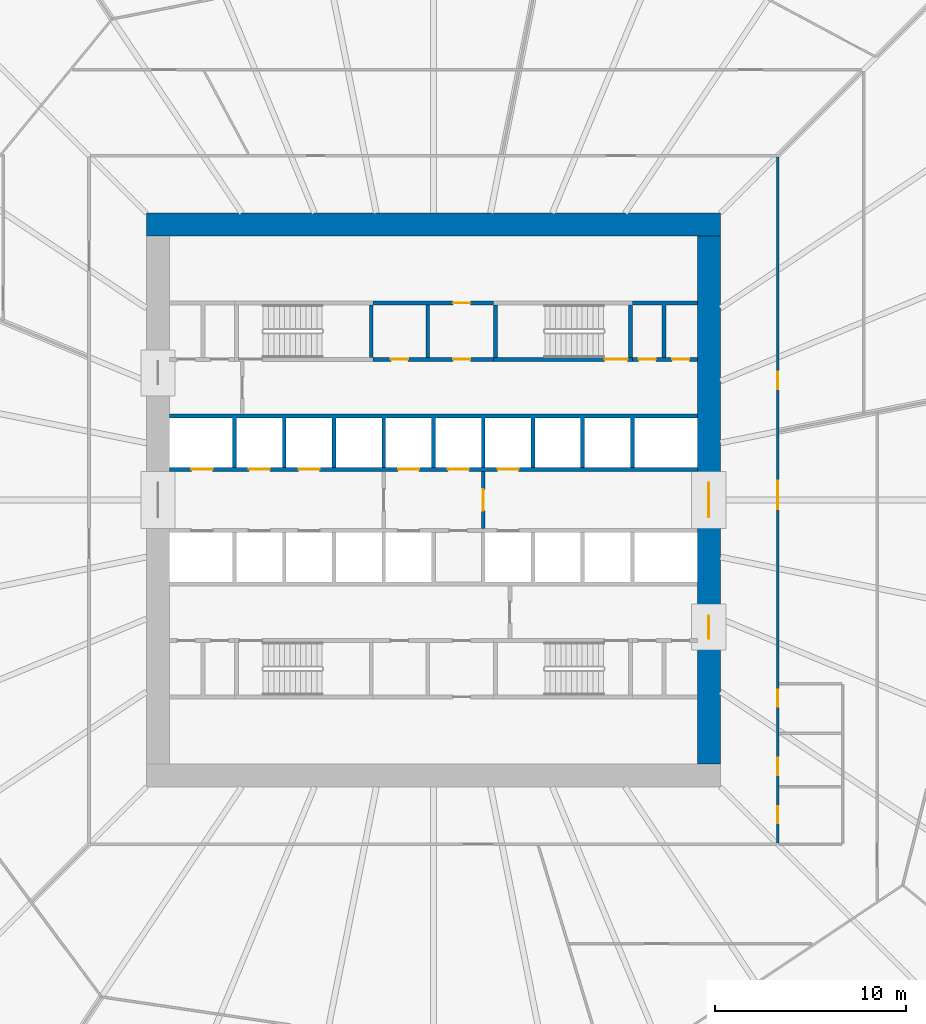
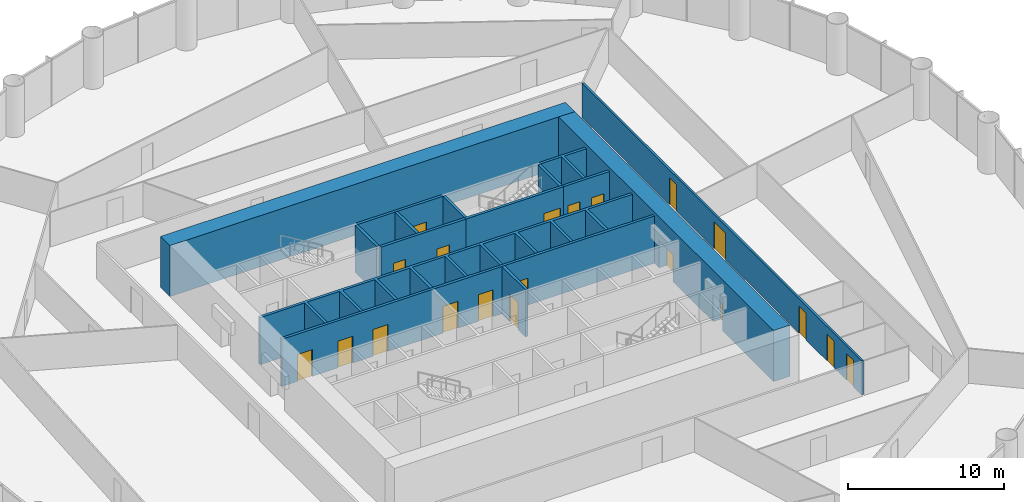
# One storey, part 12 of 15: 20 doors, 15 walls, 20 openings.
"""IFC4 building model written with IfcOpenShell, lengths in metres."""

from ifc_helpers import new_model, si_unit, direction, frame, frame_2d, origin, place, context, subcontext, project, spatial, polyline, rectangle, outline, extrude, material, layer, layer_set, type_object, element, fill, save


model = new_model("IFC4")

# Units and contexts
model_context = context("Model", 3, precision=1e-05, world=origin(), true_north=direction((0.0, 1.0)))
body_context = subcontext(model_context, "Body", "Model", "MODEL_VIEW")
ifc_project = project(units=[si_unit("LENGTHUNIT", "METRE"), si_unit("AREAUNIT", "SQUARE_METRE"), si_unit("VOLUMEUNIT", "CUBIC_METRE"), si_unit("PLANEANGLEUNIT", "RADIAN"), si_unit("MASSUNIT", "GRAM", prefix="KILO")], contexts=[model_context])

# Site, building, storey
site_placement = place(None, origin())
site = spatial("IfcSite", under=ifc_project, at=site_placement, CompositionType="ELEMENT")
building_placement = place(site_placement, origin())
building = spatial("IfcBuilding", under=site, at=building_placement, Name="Corvane Civic Tower", CompositionType="ELEMENT")
storey_placement = place(building_placement, frame((0.0, 0.0, 73.0)))
storey = spatial("IfcBuildingStorey", under=building, at=storey_placement, Name="L16", CompositionType="ELEMENT", Elevation=73.0)

# Wall
ifc_material_1 = material(Name="Concrete C80/95", Category="concrete")
ifc_layer_1 = layer(ifc_material_1, 1.199951171875)
ifc_layer_set_1 = layer_set([ifc_layer_1], Name="Concrete C80/95")
wall_type_1 = type_object("IfcWallType", Name="CORE WALL 1200 C80/95", PredefinedType="SHEAR", material=ifc_layer_set_1)
wall_1_placement = place(storey_placement, frame((-15.0, 14.39990234375, 0.0), z_axis=(0.0, 0.0, 1.0), x_axis=(1.0, 0.0, 0.0)))
element("IfcWall", 1, at=wall_1_placement, inside=storey, type_object=wall_type_1, Name="W-L16-core-N", PredefinedType="SHEAR", context=body_context, shape_type="SweptSolid", body=[
    extrude(rectangle(XDim=30.0, YDim=1.199951171875, at=frame_2d((15.0, 0.0))), origin(), (0.0, 0.0, 1.0), 4.0),
])

# Wall, openings, doors
wall_2_placement = place(storey_placement, frame((14.39990234375, -13.800048828125, 0.0), z_axis=(0.0, 0.0, 1.0), x_axis=(0.0, 1.0, 0.0)))
wall_2 = element("IfcWall", 2, at=wall_2_placement, inside=storey, type_object=wall_type_1, Name="W-L16-core-E", PredefinedType="SHEAR", context=body_context, shape_type="SweptSolid", body=[
    extrude(rectangle(XDim=27.60009765625, YDim=1.199951171875, at=frame_2d((13.800048828125, 0.0))), origin(), (0.0, 0.0, 1.0), 4.0),
])
opening_1_placement = place(wall_2_placement, frame((12.89990234375, 0.0, 0.0)))
opening_1 = element("IfcOpeningElement", 3, at=opening_1_placement, cuts=wall_2, Name="Opening L16.C25", PredefinedType="OPENING", context=body_context, shape_type="SweptSolid", body=[
    extrude(rectangle(XDim=1.800048828125, YDim=2.10009765625, at=frame_2d((0.89990234375, 1.050048828125))), frame((0.0, 0.60986328125, 0.0), z_axis=(0.0, -1.0, 0.0), x_axis=(1.0, 0.0, 0.0)), (0.0, 0.0, 1.0), 1.219970703125),
])
opening_2_placement = place(wall_2_placement, frame((6.550048828125, 0.0, 0.0)))
opening_2 = element("IfcOpeningElement", 4, at=opening_2_placement, cuts=wall_2, Name="Opening L16.C27", PredefinedType="OPENING", context=body_context, shape_type="SweptSolid", body=[
    extrude(rectangle(XDim=1.199951171875, YDim=2.10009765625, at=frame_2d((0.60009765625, 1.050048828125))), frame((0.0, 0.60986328125, 0.0), z_axis=(0.0, -1.0, 0.0), x_axis=(1.0, 0.0, 0.0)), (0.0, 0.0, 1.0), 1.219970703125),
])
ifc_material_2 = material(Name="Steel fire door leaf", Category="steel")
door_type_1 = type_object("IfcDoorType", Name="CR-DOOR-CORE-1800", OperationType="DOUBLE_DOOR_SINGLE_SWING", PredefinedType="DOOR", material=ifc_material_2)
door_1_placement = place(opening_1_placement, origin())
door_1 = element("IfcDoor", 5, at=door_1_placement, inside=storey, type_object=door_type_1, Name="L16 door", OperationType="DOUBLE_DOOR_SINGLE_SWING", OverallHeight=2.10009765625, OverallWidth=1.800048828125, PredefinedType="DOOR", context=body_context, shape_type="SweptSolid", body=[
    extrude(rectangle(XDim=1.800048828125, YDim=2.10009765625, at=frame_2d((0.89990234375, 1.050048828125))), frame((0.0, 0.02490234375, 0.0), z_axis=(0.0, -1.0, 0.0), x_axis=(1.0, 0.0, 0.0)), (0.0, 0.0, 1.0), 0.050048828125),
])
fill(opening_1, door_1)
door_2_placement = place(opening_2_placement, origin())
door_2 = element("IfcDoor", 6, at=door_2_placement, inside=storey, type_object=door_type_1, Name="L16 door", OperationType="DOUBLE_DOOR_SINGLE_SWING", OverallHeight=2.10009765625, OverallWidth=1.199951171875, PredefinedType="DOOR", context=body_context, shape_type="SweptSolid", body=[
    extrude(rectangle(XDim=1.199951171875, YDim=2.10009765625, at=frame_2d((0.60009765625, 1.050048828125))), frame((0.0, 0.02490234375, 0.0), z_axis=(0.0, -1.0, 0.0), x_axis=(1.0, 0.0, 0.0)), (0.0, 0.0, 1.0), 0.050048828125),
])
fill(opening_2, door_2)

ifc_material_3 = material(Name="Concrete C30/37", Category="concrete")
ifc_layer_2 = layer(ifc_material_3, 0.199951171875)
ifc_layer_set_2 = layer_set([ifc_layer_2], Name="Concrete C30/37")
wall_type_2 = type_object("IfcWallType", Name="CR-WALL-200", PredefinedType="PARTITIONING", material=ifc_layer_set_2)
wall_3_placement = place(storey_placement, frame((-13.800048828125, 1.60009765625, 0.0), z_axis=(0.0, 0.0, 1.0), x_axis=(1.0, 0.0, 0.0)))
wall_3 = element("IfcWall", 7, at=wall_3_placement, inside=storey, type_object=wall_type_2, Name="L16 lift shaft wall", PredefinedType="PARTITIONING", context=body_context, shape_type="SweptSolid", body=[
    extrude(rectangle(XDim=27.60009765625, YDim=0.199951171875, at=frame_2d((13.800048828125, 0.0))), origin(), (0.0, 0.0, 1.0), 3.699951171875),
])
opening_3_placement = place(wall_3_placement, frame((1.14990234375, 0.0, 0.0)))
opening_3 = element("IfcOpeningElement", 8, at=opening_3_placement, cuts=wall_3, Name="Opening LD", PredefinedType="OPENING", context=body_context, shape_type="SweptSolid", body=[
    extrude(rectangle(XDim=1.10009765625, YDim=2.10009765625, at=frame_2d((0.550048828125, 1.050048828125))), frame((0.0, 0.10986328125, 0.0), z_axis=(0.0, -1.0, 0.0), x_axis=(1.0, 0.0, 0.0)), (0.0, 0.0, 1.0), 0.219970703125),
])
opening_4_placement = place(wall_3_placement, frame((4.14990234375, 0.0, 0.0)))
opening_4 = element("IfcOpeningElement", 9, at=opening_4_placement, cuts=wall_3, Name="Opening LD", PredefinedType="OPENING", context=body_context, shape_type="SweptSolid", body=[
    extrude(rectangle(XDim=1.10009765625, YDim=2.10009765625, at=frame_2d((0.550048828125, 1.050048828125))), frame((0.0, 0.10986328125, 0.0), z_axis=(0.0, -1.0, 0.0), x_axis=(1.0, 0.0, 0.0)), (0.0, 0.0, 1.0), 0.219970703125),
])
opening_5_placement = place(wall_3_placement, frame((6.75, 0.0, 0.0)))
opening_5 = element("IfcOpeningElement", 10, at=opening_5_placement, cuts=wall_3, Name="Opening LD", PredefinedType="OPENING", context=body_context, shape_type="SweptSolid", body=[
    extrude(rectangle(XDim=1.10009765625, YDim=2.10009765625, at=frame_2d((0.550048828125, 1.050048828125))), frame((0.0, 0.10986328125, 0.0), z_axis=(0.0, -1.0, 0.0), x_axis=(1.0, 0.0, 0.0)), (0.0, 0.0, 1.0), 0.219970703125),
])
opening_6_placement = place(wall_3_placement, frame((11.949951171875, 0.0, 0.0)))
opening_6 = element("IfcOpeningElement", 11, at=opening_6_placement, cuts=wall_3, Name="Opening LD", PredefinedType="OPENING", context=body_context, shape_type="SweptSolid", body=[
    extrude(rectangle(XDim=1.10009765625, YDim=2.10009765625, at=frame_2d((0.550048828125, 1.050048828125))), frame((0.0, 0.10986328125, 0.0), z_axis=(0.0, -1.0, 0.0), x_axis=(1.0, 0.0, 0.0)), (0.0, 0.0, 1.0), 0.219970703125),
])
opening_7_placement = place(wall_3_placement, frame((14.550048828125, 0.0, 0.0)))
opening_7 = element("IfcOpeningElement", 12, at=opening_7_placement, cuts=wall_3, Name="Opening LD", PredefinedType="OPENING", context=body_context, shape_type="SweptSolid", body=[
    extrude(rectangle(XDim=1.10009765625, YDim=2.10009765625, at=frame_2d((0.550048828125, 1.050048828125))), frame((0.0, 0.10986328125, 0.0), z_axis=(0.0, -1.0, 0.0), x_axis=(1.0, 0.0, 0.0)), (0.0, 0.0, 1.0), 0.219970703125),
])
opening_8_placement = place(wall_3_placement, frame((17.14990234375, 0.0, 0.0)))
opening_8 = element("IfcOpeningElement", 13, at=opening_8_placement, cuts=wall_3, Name="Opening LD", PredefinedType="OPENING", context=body_context, shape_type="SweptSolid", body=[
    extrude(rectangle(XDim=1.10009765625, YDim=2.10009765625, at=frame_2d((0.550048828125, 1.050048828125))), frame((0.0, 0.10986328125, 0.0), z_axis=(0.0, -1.0, 0.0), x_axis=(1.0, 0.0, 0.0)), (0.0, 0.0, 1.0), 0.219970703125),
])
ifc_material_4 = material(Name="Stainless steel 316 door leaves", Category="steel")
door_type_2 = type_object("IfcDoorType", Name="LD", OperationType="DOUBLE_DOOR_SLIDING", PredefinedType="DOOR", material=ifc_material_4)
door_3_placement = place(opening_3_placement, origin())
door_3 = element("IfcDoor", 14, at=door_3_placement, inside=storey, type_object=door_type_2, Name="L16 landing door", OperationType="DOUBLE_DOOR_SLIDING", OverallHeight=2.10009765625, OverallWidth=1.10009765625, PredefinedType="DOOR", context=body_context, shape_type="SweptSolid", body=[
    extrude(rectangle(XDim=1.10009765625, YDim=2.10009765625, at=frame_2d((0.550048828125, 1.050048828125))), frame((0.0, 0.02490234375, 0.0), z_axis=(0.0, -1.0, 0.0), x_axis=(1.0, 0.0, 0.0)), (0.0, 0.0, 1.0), 0.050048828125),
])
fill(opening_3, door_3)
door_4_placement = place(opening_4_placement, origin())
door_4 = element("IfcDoor", 15, at=door_4_placement, inside=storey, type_object=door_type_2, Name="L16 landing door", OperationType="DOUBLE_DOOR_SLIDING", OverallHeight=2.10009765625, OverallWidth=1.10009765625, PredefinedType="DOOR", context=body_context, shape_type="SweptSolid", body=[
    extrude(rectangle(XDim=1.10009765625, YDim=2.10009765625, at=frame_2d((0.550048828125, 1.050048828125))), frame((0.0, 0.02490234375, 0.0), z_axis=(0.0, -1.0, 0.0), x_axis=(1.0, 0.0, 0.0)), (0.0, 0.0, 1.0), 0.050048828125),
])
fill(opening_4, door_4)
door_5_placement = place(opening_5_placement, origin())
door_5 = element("IfcDoor", 16, at=door_5_placement, inside=storey, type_object=door_type_2, Name="L16 landing door", OperationType="DOUBLE_DOOR_SLIDING", OverallHeight=2.10009765625, OverallWidth=1.10009765625, PredefinedType="DOOR", context=body_context, shape_type="SweptSolid", body=[
    extrude(rectangle(XDim=1.10009765625, YDim=2.10009765625, at=frame_2d((0.550048828125, 1.050048828125))), frame((0.0, 0.02490234375, 0.0), z_axis=(0.0, -1.0, 0.0), x_axis=(1.0, 0.0, 0.0)), (0.0, 0.0, 1.0), 0.050048828125),
])
fill(opening_5, door_5)
door_6_placement = place(opening_6_placement, origin())
door_6 = element("IfcDoor", 17, at=door_6_placement, inside=storey, type_object=door_type_2, Name="L16 landing door", OperationType="DOUBLE_DOOR_SLIDING", OverallHeight=2.10009765625, OverallWidth=1.10009765625, PredefinedType="DOOR", context=body_context, shape_type="SweptSolid", body=[
    extrude(rectangle(XDim=1.10009765625, YDim=2.10009765625, at=frame_2d((0.550048828125, 1.050048828125))), frame((0.0, 0.02490234375, 0.0), z_axis=(0.0, -1.0, 0.0), x_axis=(1.0, 0.0, 0.0)), (0.0, 0.0, 1.0), 0.050048828125),
])
fill(opening_6, door_6)
door_7_placement = place(opening_7_placement, origin())
door_7 = element("IfcDoor", 18, at=door_7_placement, inside=storey, type_object=door_type_2, Name="L16 landing door", OperationType="DOUBLE_DOOR_SLIDING", OverallHeight=2.10009765625, OverallWidth=1.10009765625, PredefinedType="DOOR", context=body_context, shape_type="SweptSolid", body=[
    extrude(rectangle(XDim=1.10009765625, YDim=2.10009765625, at=frame_2d((0.550048828125, 1.050048828125))), frame((0.0, 0.02490234375, 0.0), z_axis=(0.0, -1.0, 0.0), x_axis=(1.0, 0.0, 0.0)), (0.0, 0.0, 1.0), 0.050048828125),
])
fill(opening_7, door_7)
door_8_placement = place(opening_8_placement, origin())
door_8 = element("IfcDoor", 19, at=door_8_placement, inside=storey, type_object=door_type_2, Name="L16 landing door", OperationType="DOUBLE_DOOR_SLIDING", OverallHeight=2.10009765625, OverallWidth=1.10009765625, PredefinedType="DOOR", context=body_context, shape_type="SweptSolid", body=[
    extrude(rectangle(XDim=1.10009765625, YDim=2.10009765625, at=frame_2d((0.550048828125, 1.050048828125))), frame((0.0, 0.02490234375, 0.0), z_axis=(0.0, -1.0, 0.0), x_axis=(1.0, 0.0, 0.0)), (0.0, 0.0, 1.0), 0.050048828125),
])
fill(opening_8, door_8)

wall_4_placement = place(storey_placement, frame((-3.14990234375, 7.35009765625, 0.0), z_axis=(0.0, 0.0, 1.0), x_axis=(1.0, 0.0, 0.0)))
wall_4 = element("IfcWall", 20, at=wall_4_placement, inside=storey, type_object=wall_type_2, Name="L16 core partition wall", PredefinedType="PARTITIONING", context=body_context, shape_type="SweptSolid", body=[
    extrude(rectangle(XDim=6.2998046875, YDim=0.199951171875, at=frame_2d((3.14990234375, 0.0))), origin(), (0.0, 0.0, 1.0), 3.699951171875),
])
opening_9_placement = place(wall_4_placement, frame((0.925048828125, 0.0, 0.0)))
opening_9 = element("IfcOpeningElement", 21, at=opening_9_placement, cuts=wall_4, Name="Opening L16.C02", PredefinedType="OPENING", context=body_context, shape_type="SweptSolid", body=[
    extrude(rectangle(XDim=0.89990234375, YDim=2.10009765625, at=frame_2d((0.449951171875, 1.050048828125))), frame((0.0, 0.10986328125, 0.0), z_axis=(0.0, -1.0, 0.0), x_axis=(1.0, 0.0, 0.0)), (0.0, 0.0, 1.0), 0.219970703125),
])
opening_10_placement = place(wall_4_placement, frame((4.175048828125, 0.0, 0.0)))
opening_10 = element("IfcOpeningElement", 22, at=opening_10_placement, cuts=wall_4, Name="Opening L16.C03", PredefinedType="OPENING", context=body_context, shape_type="SweptSolid", body=[
    extrude(rectangle(XDim=0.89990234375, YDim=2.10009765625, at=frame_2d((0.449951171875, 1.050048828125))), frame((0.0, 0.10986328125, 0.0), z_axis=(0.0, -1.0, 0.0), x_axis=(1.0, 0.0, 0.0)), (0.0, 0.0, 1.0), 0.219970703125),
])
ifc_material_5 = material(Name="Steel fire door leaf", Category="steel")
door_type_3 = type_object("IfcDoorType", Name="CR-DOOR-900", OperationType="SINGLE_SWING_LEFT", PredefinedType="DOOR", material=ifc_material_5)
door_9_placement = place(opening_9_placement, origin())
door_9 = element("IfcDoor", 23, at=door_9_placement, inside=storey, type_object=door_type_3, Name="L16 door", OperationType="SINGLE_SWING_LEFT", OverallHeight=2.10009765625, OverallWidth=0.89990234375, PredefinedType="DOOR", context=body_context, shape_type="SweptSolid", body=[
    extrude(rectangle(XDim=0.89990234375, YDim=2.10009765625, at=frame_2d((0.449951171875, 1.050048828125))), frame((0.0, 0.02490234375, 0.0), z_axis=(0.0, -1.0, 0.0), x_axis=(1.0, 0.0, 0.0)), (0.0, 0.0, 1.0), 0.050048828125),
])
fill(opening_9, door_9)
door_10_placement = place(opening_10_placement, origin())
door_10 = element("IfcDoor", 24, at=door_10_placement, inside=storey, type_object=door_type_3, Name="L16 door", OperationType="SINGLE_SWING_LEFT", OverallHeight=2.10009765625, OverallWidth=0.89990234375, PredefinedType="DOOR", context=body_context, shape_type="SweptSolid", body=[
    extrude(rectangle(XDim=0.89990234375, YDim=2.10009765625, at=frame_2d((0.449951171875, 1.050048828125))), frame((0.0, 0.02490234375, 0.0), z_axis=(0.0, -1.0, 0.0), x_axis=(1.0, 0.0, 0.0)), (0.0, 0.0, 1.0), 0.050048828125),
])
fill(opening_10, door_10)

wall_5_placement = place(storey_placement, frame((10.39990234375, 7.35009765625, 0.0), z_axis=(0.0, 0.0, 1.0), x_axis=(1.0, 0.0, 0.0)))
wall_5 = element("IfcWall", 25, at=wall_5_placement, inside=storey, type_object=wall_type_2, Name="L16 core partition wall", PredefinedType="PARTITIONING", context=body_context, shape_type="SweptSolid", body=[
    extrude(rectangle(XDim=3.400146484375, YDim=0.199951171875, at=frame_2d((1.7001953125, 0.0))), origin(), (0.0, 0.0, 1.0), 3.699951171875),
])
opening_11_placement = place(wall_5_placement, frame((0.324951171875, 0.0, 0.0)))
opening_11 = element("IfcOpeningElement", 26, at=opening_11_placement, cuts=wall_5, Name="Opening L16.C12", PredefinedType="OPENING", context=body_context, shape_type="SweptSolid", body=[
    extrude(rectangle(XDim=0.89990234375, YDim=2.10009765625, at=frame_2d((0.449951171875, 1.050048828125))), frame((0.0, 0.10986328125, 0.0), z_axis=(0.0, -1.0, 0.0), x_axis=(1.0, 0.0, 0.0)), (0.0, 0.0, 1.0), 0.219970703125),
])
opening_12_placement = place(wall_5_placement, frame((2.074951171875, 0.0, 0.0)))
opening_12 = element("IfcOpeningElement", 27, at=opening_12_placement, cuts=wall_5, Name="Opening L16.C13", PredefinedType="OPENING", context=body_context, shape_type="SweptSolid", body=[
    extrude(rectangle(XDim=0.89990234375, YDim=2.10009765625, at=frame_2d((0.449951171875, 1.050048828125))), frame((0.0, 0.10986328125, 0.0), z_axis=(0.0, -1.0, 0.0), x_axis=(1.0, 0.0, 0.0)), (0.0, 0.0, 1.0), 0.219970703125),
])
door_11_placement = place(opening_11_placement, origin())
door_11 = element("IfcDoor", 28, at=door_11_placement, inside=storey, type_object=door_type_3, Name="L16 door", OperationType="SINGLE_SWING_LEFT", OverallHeight=2.10009765625, OverallWidth=0.89990234375, PredefinedType="DOOR", context=body_context, shape_type="SweptSolid", body=[
    extrude(rectangle(XDim=0.89990234375, YDim=2.10009765625, at=frame_2d((0.449951171875, 1.050048828125))), frame((0.0, 0.02490234375, 0.0), z_axis=(0.0, -1.0, 0.0), x_axis=(1.0, 0.0, 0.0)), (0.0, 0.0, 1.0), 0.050048828125),
])
fill(opening_11, door_11)
door_12_placement = place(opening_12_placement, origin())
door_12 = element("IfcDoor", 29, at=door_12_placement, inside=storey, type_object=door_type_3, Name="L16 door", OperationType="SINGLE_SWING_LEFT", OverallHeight=2.10009765625, OverallWidth=0.89990234375, PredefinedType="DOOR", context=body_context, shape_type="SweptSolid", body=[
    extrude(rectangle(XDim=0.89990234375, YDim=2.10009765625, at=frame_2d((0.449951171875, 1.050048828125))), frame((0.0, 0.02490234375, 0.0), z_axis=(0.0, -1.0, 0.0), x_axis=(1.0, 0.0, 0.0)), (0.0, 0.0, 1.0), 0.050048828125),
])
fill(opening_12, door_12)

# Wall, opening, door
wall_6_placement = place(storey_placement, frame((-3.14990234375, 10.300048828125, 0.0), z_axis=(0.0, 0.0, 1.0), x_axis=(1.0, 0.0, 0.0)))
wall_6 = element("IfcWall", 30, at=wall_6_placement, inside=storey, type_object=wall_type_2, Name="L16 partition wall", PredefinedType="PARTITIONING", context=body_context, shape_type="SweptSolid", body=[
    extrude(rectangle(XDim=6.2998046875, YDim=0.199951171875, at=frame_2d((3.14990234375, 0.0))), origin(), (0.0, 0.0, 1.0), 3.699951171875),
])
opening_13_placement = place(wall_6_placement, frame((4.175048828125, 0.0, 0.0)))
opening_13 = element("IfcOpeningElement", 31, at=opening_13_placement, cuts=wall_6, Name="Opening L16.C06", PredefinedType="OPENING", context=body_context, shape_type="SweptSolid", body=[
    extrude(rectangle(XDim=0.89990234375, YDim=2.10009765625, at=frame_2d((0.449951171875, 1.050048828125))), frame((0.0, 0.10986328125, 0.0), z_axis=(0.0, -1.0, 0.0), x_axis=(1.0, 0.0, 0.0)), (0.0, 0.0, 1.0), 0.219970703125),
])
door_13_placement = place(opening_13_placement, origin())
door_13 = element("IfcDoor", 32, at=door_13_placement, inside=storey, type_object=door_type_3, Name="L16 door", OperationType="SINGLE_SWING_LEFT", OverallHeight=2.10009765625, OverallWidth=0.89990234375, PredefinedType="DOOR", context=body_context, shape_type="SweptSolid", body=[
    extrude(rectangle(XDim=0.89990234375, YDim=2.10009765625, at=frame_2d((0.449951171875, 1.050048828125))), frame((0.0, 0.02490234375, 0.0), z_axis=(0.0, -1.0, 0.0), x_axis=(1.0, 0.0, 0.0)), (0.0, 0.0, 1.0), 0.050048828125),
])
fill(opening_13, door_13)

wall_7_placement = place(storey_placement, frame((2.60009765625, -1.5, 0.0), z_axis=(0.0, 0.0, 1.0), x_axis=(0.0, 1.0, 0.0)))
wall_7 = element("IfcWall", 33, at=wall_7_placement, inside=storey, type_object=wall_type_2, Name="L16 firefighting lobby wall", PredefinedType="PARTITIONING", context=body_context, shape_type="SweptSolid", body=[
    extrude(rectangle(XDim=3.0, YDim=0.199951171875, at=frame_2d((1.5, 0.0))), origin(), (0.0, 0.0, 1.0), 3.699951171875),
])
opening_14_placement = place(wall_7_placement, frame((0.949951171875, 0.0, 0.0)))
opening_14 = element("IfcOpeningElement", 34, at=opening_14_placement, cuts=wall_7, Name="Opening L16.C21", PredefinedType="OPENING", context=body_context, shape_type="SweptSolid", body=[
    extrude(rectangle(XDim=1.10009765625, YDim=2.10009765625, at=frame_2d((0.550048828125, 1.050048828125))), frame((0.0, 0.10986328125, 0.0), z_axis=(0.0, -1.0, 0.0), x_axis=(1.0, 0.0, 0.0)), (0.0, 0.0, 1.0), 0.219970703125),
])
ifc_material_6 = material(Name="Steel fire door leaf", Category="steel")
door_type_4 = type_object("IfcDoorType", Name="CR-DOOR-FFL-1100", OperationType="SINGLE_SWING_LEFT", PredefinedType="DOOR", material=ifc_material_6)
door_14_placement = place(opening_14_placement, origin())
door_14 = element("IfcDoor", 35, at=door_14_placement, inside=storey, type_object=door_type_4, Name="L16 lobby door", OperationType="SINGLE_SWING_LEFT", OverallHeight=2.10009765625, OverallWidth=1.10009765625, PredefinedType="DOOR", context=body_context, shape_type="SweptSolid", body=[
    extrude(rectangle(XDim=1.10009765625, YDim=2.10009765625, at=frame_2d((0.550048828125, 1.050048828125))), frame((0.0, 0.02490234375, 0.0), z_axis=(0.0, -1.0, 0.0), x_axis=(1.0, 0.0, 0.0)), (0.0, 0.0, 1.0), 0.050048828125),
])
fill(opening_14, door_14)

# Walls
wall_8_placement = place(storey_placement, origin())
element("IfcWall", 36, at=wall_8_placement, inside=storey, type_object=wall_type_2, Name="L16 core partition wall", PredefinedType="PARTITIONING", context=body_context, shape_type="SweptSolid", body=[
    extrude(outline(polyline([(-0.199951171875, 7.449951171875), (-0.39990234375, 7.449951171875), (-0.39990234375, 10.199951171875), (-0.199951171875, 10.199951171875), (-0.199951171875, 7.449951171875)])), origin(), (0.0, 0.0, 1.0), 3.699951171875),
])
wall_9_placement = place(storey_placement, origin())
element("IfcWall", 37, at=wall_9_placement, inside=storey, type_object=wall_type_2, Name="L16 core partition wall", PredefinedType="PARTITIONING", context=body_context, shape_type="SweptSolid", body=[
    extrude(outline(polyline([(-10.300048828125, 1.699951171875), (-10.5, 1.699951171875), (-10.5, 4.300048828125), (-13.800048828125, 4.300048828125), (-13.800048828125, 4.5), (13.800048828125, 4.5), (13.800048828125, 4.300048828125), (10.5, 4.300048828125), (10.5, 1.699951171875), (10.300048828125, 1.699951171875), (10.300048828125, 4.300048828125), (7.89990234375, 4.300048828125), (7.89990234375, 1.699951171875), (7.699951171875, 1.699951171875), (7.699951171875, 4.300048828125), (5.300048828125, 4.300048828125), (5.300048828125, 1.699951171875), (5.10009765625, 1.699951171875), (5.10009765625, 4.300048828125), (2.699951171875, 4.300048828125), (2.699951171875, 1.699951171875), (2.5, 1.699951171875), (2.5, 4.300048828125), (0.10009765625, 4.300048828125), (0.10009765625, 1.699951171875), (-0.10009765625, 1.699951171875), (-0.10009765625, 4.300048828125), (-2.5, 4.300048828125), (-2.5, 1.699951171875), (-2.699951171875, 1.699951171875), (-2.699951171875, 4.300048828125), (-5.10009765625, 4.300048828125), (-5.10009765625, 1.699951171875), (-5.300048828125, 1.699951171875), (-5.300048828125, 4.300048828125), (-7.699951171875, 4.300048828125), (-7.699951171875, 1.699951171875), (-7.89990234375, 1.699951171875), (-7.89990234375, 4.300048828125), (-10.300048828125, 4.300048828125), (-10.300048828125, 1.699951171875)])), origin(), (0.0, 0.0, 1.0), 3.699951171875),
])
wall_10_placement = place(storey_placement, origin())
element("IfcWall", 38, at=wall_10_placement, inside=storey, type_object=wall_type_2, Name="L16 core partition wall", PredefinedType="PARTITIONING", context=body_context, shape_type="SweptSolid", body=[
    extrude(outline(polyline([(13.800048828125, 10.39990234375), (13.800048828125, 10.199951171875), (12.14990234375, 10.199951171875), (12.14990234375, 7.449951171875), (11.949951171875, 7.449951171875), (11.949951171875, 10.199951171875), (10.39990234375, 10.199951171875), (10.39990234375, 10.39990234375), (13.800048828125, 10.39990234375)])), origin(), (0.0, 0.0, 1.0), 3.699951171875),
])

# Wall, opening, door
ifc_material_7 = material(Name="Concrete C50/60", Category="concrete")
ifc_layer_3 = layer(ifc_material_7, 0.199951171875)
ifc_layer_set_3 = layer_set([ifc_layer_3], Name="Concrete C50/60")
wall_type_3 = type_object("IfcWallType", Name="ST-WALL-200", PredefinedType="SHEAR", material=ifc_layer_set_3)
wall_11_placement = place(storey_placement, frame((3.14990234375, 7.35009765625, 0.0), z_axis=(0.0, 0.0, 1.0), x_axis=(1.0, 0.0, 0.0)))
wall_11 = element("IfcWall", 39, at=wall_11_placement, inside=storey, type_object=wall_type_3, Name="L16 stair enclosure wall", PredefinedType="SHEAR", context=body_context, shape_type="SweptSolid", body=[
    extrude(rectangle(XDim=7.25, YDim=0.199951171875, at=frame_2d((3.625, 0.0))), origin(), (0.0, 0.0, 1.0), 3.699951171875),
])
opening_15_placement = place(wall_11_placement, frame((5.800048828125, 0.0, 0.0)))
opening_15 = element("IfcOpeningElement", 40, at=opening_15_placement, cuts=wall_11, Name="Opening L16.C16", PredefinedType="OPENING", context=body_context, shape_type="SweptSolid", body=[
    extrude(rectangle(XDim=1.199951171875, YDim=2.10009765625, at=frame_2d((0.60009765625, 1.050048828125))), frame((0.0, 0.10986328125, 0.0), z_axis=(0.0, -1.0, 0.0), x_axis=(1.0, 0.0, 0.0)), (0.0, 0.0, 1.0), 0.219970703125),
])
ifc_material_8 = material(Name="Steel fire door leaf", Category="steel")
door_type_5 = type_object("IfcDoorType", Name="ST-DOOR-1200", OperationType="SINGLE_SWING_RIGHT", PredefinedType="DOOR", material=ifc_material_8)
door_15_placement = place(opening_15_placement, origin())
door_15 = element("IfcDoor", 41, at=door_15_placement, inside=storey, type_object=door_type_5, Name="L16 stair door", OperationType="SINGLE_SWING_RIGHT", OverallHeight=2.10009765625, OverallWidth=1.199951171875, PredefinedType="DOOR", context=body_context, shape_type="SweptSolid", body=[
    extrude(rectangle(XDim=1.199951171875, YDim=2.10009765625, at=frame_2d((0.60009765625, 1.050048828125))), frame((0.0, 0.02490234375, 0.0), z_axis=(0.0, -1.0, 0.0), x_axis=(1.0, 0.0, 0.0)), (0.0, 0.0, 1.0), 0.050048828125),
])
fill(opening_15, door_15)

# Walls
wall_12_placement = place(storey_placement, origin())
element("IfcWall", 42, at=wall_12_placement, inside=storey, type_object=wall_type_3, Name="L16 stair enclosure wall", PredefinedType="SHEAR", context=body_context, shape_type="SweptSolid", body=[
    extrude(outline(polyline([(-3.14990234375, 7.449951171875), (-3.35009765625, 7.449951171875), (-3.35009765625, 10.199951171875), (-3.14990234375, 10.199951171875), (-3.14990234375, 7.449951171875)])), origin(), (0.0, 0.0, 1.0), 3.699951171875),
])
wall_13_placement = place(storey_placement, origin())
element("IfcWall", 43, at=wall_13_placement, inside=storey, type_object=wall_type_3, Name="L16 stair enclosure wall", PredefinedType="SHEAR", context=body_context, shape_type="SweptSolid", body=[
    extrude(outline(polyline([(3.35009765625, 7.449951171875), (3.14990234375, 7.449951171875), (3.14990234375, 10.199951171875), (3.35009765625, 10.199951171875), (3.35009765625, 7.449951171875)])), origin(), (0.0, 0.0, 1.0), 3.699951171875),
])
wall_14_placement = place(storey_placement, origin())
element("IfcWall", 44, at=wall_14_placement, inside=storey, type_object=wall_type_3, Name="L16 stair enclosure wall", PredefinedType="SHEAR", context=body_context, shape_type="SweptSolid", body=[
    extrude(outline(polyline([(10.39990234375, 7.449951171875), (10.199951171875, 7.449951171875), (10.199951171875, 10.199951171875), (10.39990234375, 10.199951171875), (10.39990234375, 7.449951171875)])), origin(), (0.0, 0.0, 1.0), 3.699951171875),
])

# Wall, openings, doors
ifc_material_9 = material(Name="Plasterboard")
ifc_layer_4 = layer(ifc_material_9, 0.14990234375)
ifc_layer_set_4 = layer_set([ifc_layer_4], Name="Plasterboard")
wall_type_4 = type_object("IfcWallType", Name="Tenancy wall 150 EI 60", PredefinedType="PARTITIONING", material=ifc_layer_set_4)
wall_15_placement = place(storey_placement, frame((18.0, -17.925048828125, 0.0), z_axis=(0.0, 0.0, 1.0), x_axis=(0.0, 1.0, 0.0)))
wall_15 = element("IfcWall", 45, at=wall_15_placement, inside=storey, type_object=wall_type_4, Name="Partition L16.015", PredefinedType="PARTITIONING", context=body_context, shape_type="SweptSolid", body=[
    extrude(rectangle(XDim=35.85009765625, YDim=0.14990234375, at=frame_2d((17.925048828125, 0.0))), origin(), (0.0, 0.0, 1.0), 2.699951171875),
])
opening_16_placement = place(wall_15_placement, frame((23.721923828125, 0.0, 0.0)))
opening_16 = element("IfcOpeningElement", 46, at=opening_16_placement, cuts=wall_15, Name="Opening L16.010", PredefinedType="OPENING", context=body_context, shape_type="SweptSolid", body=[
    extrude(rectangle(XDim=0.89990234375, YDim=2.10009765625, at=frame_2d((0.449951171875, 1.050048828125))), frame((0.0, 0.0849609375, 0.0), z_axis=(0.0, -1.0, 0.0), x_axis=(1.0, 0.0, 0.0)), (0.0, 0.0, 1.0), 0.169921875),
])
opening_17_placement = place(wall_15_placement, frame((17.42919921875, 0.0, 0.0)))
opening_17 = element("IfcOpeningElement", 47, at=opening_17_placement, cuts=wall_15, Name="Opening L16.015", PredefinedType="OPENING", context=body_context, shape_type="SweptSolid", body=[
    extrude(rectangle(XDim=1.5, YDim=2.10009765625, at=frame_2d((0.75, 1.050048828125))), frame((0.0, 0.0849609375, 0.0), z_axis=(0.0, -1.0, 0.0), x_axis=(1.0, 0.0, 0.0)), (0.0, 0.0, 1.0), 0.169921875),
])
opening_18_placement = place(wall_15_placement, frame((1.0146484375, 0.0, 0.0)))
opening_18 = element("IfcOpeningElement", 48, at=opening_18_placement, cuts=wall_15, Name="Opening L16.016", PredefinedType="OPENING", context=body_context, shape_type="SweptSolid", body=[
    extrude(rectangle(XDim=0.89990234375, YDim=2.10009765625, at=frame_2d((0.449951171875, 1.050048828125))), frame((0.0, 0.0849609375, 0.0), z_axis=(0.0, -1.0, 0.0), x_axis=(1.0, 0.0, 0.0)), (0.0, 0.0, 1.0), 0.169921875),
])
opening_19_placement = place(wall_15_placement, frame((3.547607421875, 0.0, 0.0)))
opening_19 = element("IfcOpeningElement", 49, at=opening_19_placement, cuts=wall_15, Name="Opening L16.017", PredefinedType="OPENING", context=body_context, shape_type="SweptSolid", body=[
    extrude(rectangle(XDim=0.89990234375, YDim=2.10009765625, at=frame_2d((0.449951171875, 1.050048828125))), frame((0.0, 0.0849609375, 0.0), z_axis=(0.0, -1.0, 0.0), x_axis=(1.0, 0.0, 0.0)), (0.0, 0.0, 1.0), 0.169921875),
])
opening_20_placement = place(wall_15_placement, frame((7.11376953125, 0.0, 0.0)))
opening_20 = element("IfcOpeningElement", 50, at=opening_20_placement, cuts=wall_15, Name="Opening L16.018", PredefinedType="OPENING", context=body_context, shape_type="SweptSolid", body=[
    extrude(rectangle(XDim=0.89990234375, YDim=2.10009765625, at=frame_2d((0.449951171875, 1.050048828125))), frame((0.0, 0.0849609375, 0.0), z_axis=(0.0, -1.0, 0.0), x_axis=(1.0, 0.0, 0.0)), (0.0, 0.0, 1.0), 0.169921875),
])
ifc_material_10 = material(Name="Steel and timber", Category="steel")
door_type_6 = type_object("IfcDoorType", Name="Fire door FD30S 900", OperationType="NOTDEFINED", PredefinedType="DOOR", material=ifc_material_10)
door_16_placement = place(opening_16_placement, frame((0.89990234375, 0.0, 0.0), z_axis=(0.0, 0.0, 1.0), x_axis=(-1.0, 0.0, 0.0)))
door_16 = element("IfcDoor", 51, at=door_16_placement, inside=storey, type_object=door_type_6, Name="Door L16.010", OperationType="SINGLE_SWING_RIGHT", OverallHeight=2.10009765625, OverallWidth=0.89990234375, PredefinedType="DOOR", context=body_context, shape_type="SweptSolid", body=[
    extrude(rectangle(XDim=0.89990234375, YDim=2.10009765625, at=frame_2d((0.449951171875, 1.050048828125))), frame((0.0, 0.02490234375, 0.0), z_axis=(0.0, -1.0, 0.0), x_axis=(1.0, 0.0, 0.0)), (0.0, 0.0, 1.0), 0.050048828125),
])
fill(opening_16, door_16)
door_17_placement = place(opening_18_placement, frame((0.89990234375, 0.0, 0.0), z_axis=(0.0, 0.0, 1.0), x_axis=(-1.0, 0.0, 0.0)))
door_17 = element("IfcDoor", 52, at=door_17_placement, inside=storey, type_object=door_type_6, Name="Door L16.016", OperationType="SINGLE_SWING_RIGHT", OverallHeight=2.10009765625, OverallWidth=0.89990234375, PredefinedType="DOOR", context=body_context, shape_type="SweptSolid", body=[
    extrude(rectangle(XDim=0.89990234375, YDim=2.10009765625, at=frame_2d((0.449951171875, 1.050048828125))), frame((0.0, 0.02490234375, 0.0), z_axis=(0.0, -1.0, 0.0), x_axis=(1.0, 0.0, 0.0)), (0.0, 0.0, 1.0), 0.050048828125),
])
fill(opening_18, door_17)
door_18_placement = place(opening_19_placement, frame((0.89990234375, 0.0, 0.0), z_axis=(0.0, 0.0, 1.0), x_axis=(-1.0, 0.0, 0.0)))
door_18 = element("IfcDoor", 53, at=door_18_placement, inside=storey, type_object=door_type_6, Name="Door L16.017", OperationType="SINGLE_SWING_LEFT", OverallHeight=2.10009765625, OverallWidth=0.89990234375, PredefinedType="DOOR", context=body_context, shape_type="SweptSolid", body=[
    extrude(rectangle(XDim=0.89990234375, YDim=2.10009765625, at=frame_2d((0.449951171875, 1.050048828125))), frame((0.0, 0.02490234375, 0.0), z_axis=(0.0, -1.0, 0.0), x_axis=(1.0, 0.0, 0.0)), (0.0, 0.0, 1.0), 0.050048828125),
])
fill(opening_19, door_18)
door_19_placement = place(opening_20_placement, frame((0.89990234375, 0.0, 0.0), z_axis=(0.0, 0.0, 1.0), x_axis=(-1.0, 0.0, 0.0)))
door_19 = element("IfcDoor", 54, at=door_19_placement, inside=storey, type_object=door_type_6, Name="Door L16.018", OperationType="SINGLE_SWING_LEFT", OverallHeight=2.10009765625, OverallWidth=0.89990234375, PredefinedType="DOOR", context=body_context, shape_type="SweptSolid", body=[
    extrude(rectangle(XDim=0.89990234375, YDim=2.10009765625, at=frame_2d((0.449951171875, 1.050048828125))), frame((0.0, 0.02490234375, 0.0), z_axis=(0.0, -1.0, 0.0), x_axis=(1.0, 0.0, 0.0)), (0.0, 0.0, 1.0), 0.050048828125),
])
fill(opening_20, door_19)
ifc_material_11 = material(Name="Steel and timber", Category="steel")
door_type_7 = type_object("IfcDoorType", Name="Fire door FD60 double 1500", OperationType="NOTDEFINED", PredefinedType="DOOR", material=ifc_material_11)
door_20_placement = place(opening_17_placement, frame((1.5, 0.0, 0.0), z_axis=(0.0, 0.0, 1.0), x_axis=(-1.0, 0.0, 0.0)))
door_20 = element("IfcDoor", 55, at=door_20_placement, inside=storey, type_object=door_type_7, Name="Door L16.015", OperationType="DOUBLE_DOOR_SINGLE_SWING", OverallHeight=2.10009765625, OverallWidth=1.5, PredefinedType="DOOR", context=body_context, shape_type="SweptSolid", body=[
    extrude(rectangle(XDim=1.5, YDim=2.10009765625, at=frame_2d((0.75, 1.050048828125))), frame((0.0, 0.02490234375, 0.0), z_axis=(0.0, -1.0, 0.0), x_axis=(1.0, 0.0, 0.0)), (0.0, 0.0, 1.0), 0.050048828125),
])
fill(opening_17, door_20)

save(model, "model.ifc")
